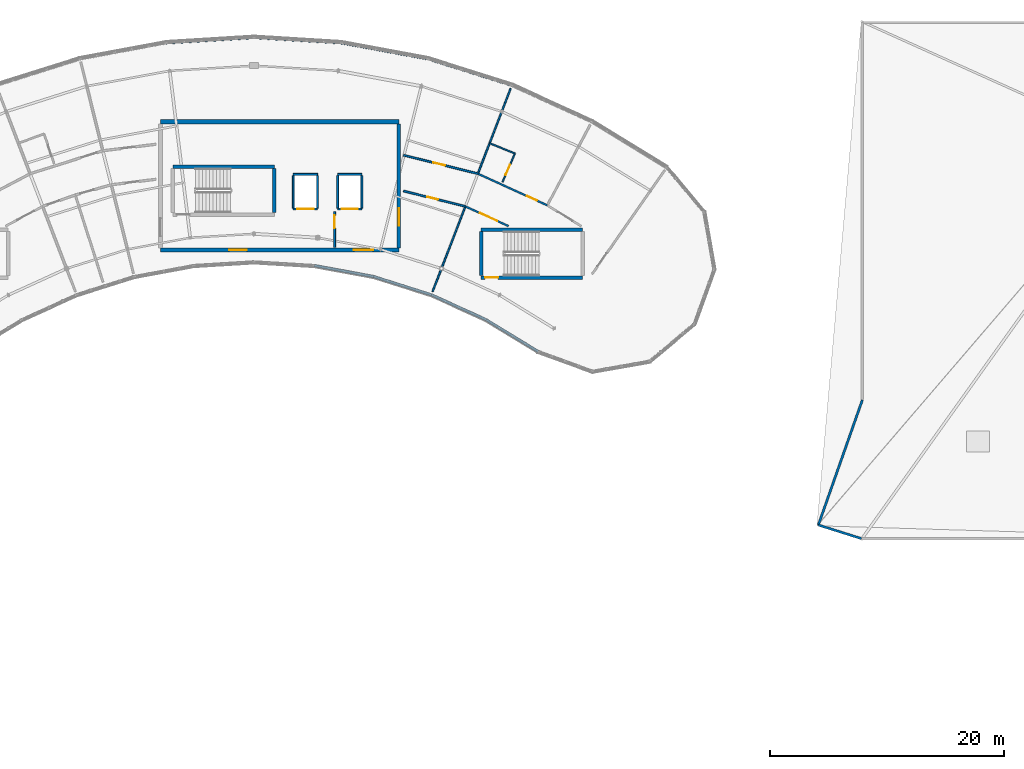
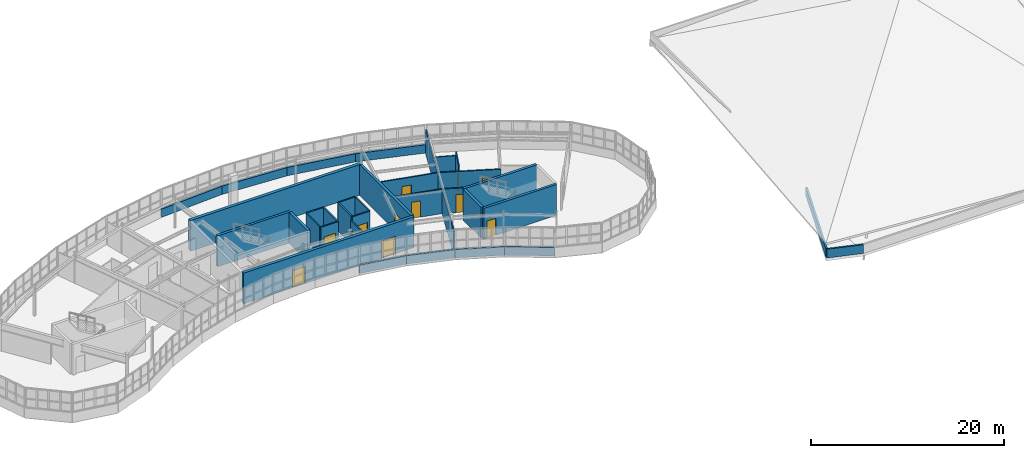
# One storey, part 69 of 79: 35 walls, 12 doors, 12 openings.
"""IFC4 building model written with IfcOpenShell, lengths in metres."""

from ifc_helpers import new_model, si_unit, direction, frame, frame_2d, origin, place, context, subcontext, project, spatial, rectangle, extrude, material, layer, layer_set, type_object, element, fill, save


model = new_model("IFC4")

# Units and contexts
model_context = context("Model", 3, precision=1e-05, world=origin(), true_north=direction((0.0, 1.0)))
body_context = subcontext(model_context, "Body", "Model", "MODEL_VIEW")
ifc_project = project(units=[si_unit("LENGTHUNIT", "METRE"), si_unit("AREAUNIT", "SQUARE_METRE"), si_unit("VOLUMEUNIT", "CUBIC_METRE"), si_unit("PLANEANGLEUNIT", "RADIAN"), si_unit("MASSUNIT", "GRAM", prefix="KILO")], contexts=[model_context])

# Site, building, storey
site_placement = place(None, origin())
site = spatial("IfcSite", under=ifc_project, at=site_placement, CompositionType="ELEMENT")
building_placement = place(site_placement, origin())
building = spatial("IfcBuilding", under=site, at=building_placement, Name="Tarnwether General Hospital", CompositionType="ELEMENT")
storey_placement = place(building_placement, frame((0.0, 0.0, 18.300048828125)))
storey = spatial("IfcBuildingStorey", under=building, at=storey_placement, Name="L04", CompositionType="ELEMENT", Elevation=18.300048828125)

# Walls
ifc_material_1 = material(Name="Streamlined white enamelled aluminium", Category="aluminium")
ifc_layer_1 = layer(ifc_material_1, 0.219970703125)
ifc_layer_set_1 = layer_set([ifc_layer_1], Name="Streamlined white enamelled aluminium")
wall_type_1 = type_object("IfcWallType", Name="WL-EX220", PredefinedType="STANDARD", material=ifc_layer_set_1)
wall_1_placement = place(storey_placement, frame((102.257080078125, 104.14111328125, 0.0), z_axis=(0.0, 0.0, 1.0), x_axis=(-0.98327293422, 0.182138235501, 0.0)))
element("IfcWall", 1, at=wall_1_placement, inside=storey, type_object=wall_type_1, Name="Ward NW Streamlined White Spandrel EW-L04-0044", PredefinedType="STANDARD", context=body_context, shape_type="SweptSolid", body=[
    extrude(rectangle(XDim=5.1767578125, YDim=0.219970703125, at=frame_2d((2.58837890625, 0.0))), origin(), (0.0, 0.0, 1.0), 1.050048828125),
])
wall_2_placement = place(storey_placement, frame((107.195068359375, 102.583984375, 0.0), z_axis=(0.0, 0.0, 1.0), x_axis=(-0.953706582316, 0.300738681994, 0.0)))
element("IfcWall", 2, at=wall_2_placement, inside=storey, type_object=wall_type_1, Name="Ward NW Streamlined White Spandrel EW-L04-0045", PredefinedType="STANDARD", context=body_context, shape_type="SweptSolid", body=[
    extrude(rectangle(XDim=5.177734375, YDim=0.219970703125, at=frame_2d((2.5888671875, 0.0))), origin(), (0.0, 0.0, 1.0), 1.050048828125),
])
for number, where, z_axis, x_axis, name in (
    (3, (111.906005859375, 100.43701171875, 0.0), (0.0, 0.0, 1.0), (-0.909955822384, 0.414705198074, 0.0), "Ward NW Streamlined White Spandrel EW-L04-0046"),
    (4, (116.320068359375, 97.73193359375, 0.0), (0.0, 0.0, 1.0), (-0.852628362135, 0.522517823698, 0.0), "Ward NW Streamlined White Spandrel EW-L04-0047"),
):
    element("IfcWall", number, at=place(storey_placement, frame(where, z_axis=z_axis, x_axis=x_axis)), inside=storey, type_object=wall_type_1, Name=name, PredefinedType="STANDARD", context=body_context, shape_type="SweptSolid", body=[
        extrude(rectangle(XDim=5.177001953125, YDim=0.219970703125, at=frame_2d((2.58837890625, 0.0))), origin(), (0.0, 0.0, 1.0), 1.050048828125),
    ])
wall_3_placement = place(storey_placement, frame((106.902099609375, 122.77001953125, 0.0), z_axis=(0.0, 0.0, 1.0), x_axis=(0.953740021466, -0.300632618747, 0.0)))
element("IfcWall", 5, at=wall_3_placement, inside=storey, type_object=wall_type_1, Name="Ward NW Streamlined White Spandrel EW-L04-0056", PredefinedType="STANDARD", context=body_context, shape_type="SweptSolid", body=[
    extrude(rectangle(XDim=7.520751953125, YDim=0.219970703125, at=frame_2d((3.76025390625, 0.0))), origin(), (0.0, 0.0, 1.0), 1.050048828125),
])
for number, where, z_axis, x_axis, name in (
    (6, (99.507080078125, 124.14111328125, 0.0), (0.0, 0.0, 1.0), (0.983242805192, -0.18230081195, 0.0), "Ward NW Streamlined White Spandrel EW-L04-0057"),
    (7, (92.0, 124.60009765625, 0.0), (0.0, 0.0, 1.0), (0.99813616181, -0.061026244242, 0.0), "Ward NW Streamlined White Spandrel EW-L04-0058"),
    (8, (84.492919921875, 124.14111328125, 0.0), (0.0, 0.0, 1.0), (0.99813616181, 0.061026244242, 0.0), "Ward NW Streamlined White Spandrel EW-L04-0059"),
):
    element("IfcWall", number, at=place(storey_placement, frame(where, z_axis=z_axis, x_axis=x_axis)), inside=storey, type_object=wall_type_1, Name=name, PredefinedType="STANDARD", context=body_context, shape_type="SweptSolid", body=[
        extrude(rectangle(XDim=7.52099609375, YDim=0.219970703125, at=frame_2d((3.760498046875, 0.0))), origin(), (0.0, 0.0, 1.0), 1.050048828125),
    ])
ifc_material_2 = material(Name="Precast concrete 40 MPa", Category="concrete")
ifc_layer_2 = layer(ifc_material_2, 0.199951171875)
ifc_layer_set_2 = layer_set([ifc_layer_2], Name="Precast concrete 40 MPa")
wall_type_2 = type_object("IfcWallType", Name="WL-PR200", PredefinedType="PARAPET", material=ifc_layer_set_2)
wall_4_placement = place(storey_placement, frame((140.3291015625, 82.864013671875, 0.329833984375), z_axis=(0.0, 0.0, 1.0), x_axis=(0.331832810858, 0.943338213812, 0.0)))
element("IfcWall", 9, at=wall_4_placement, inside=storey, type_object=wall_type_2, Name="Flat Roof Parapet EW-L04-0375", PredefinedType="PARAPET", context=body_context, shape_type="SweptSolid", body=[
    extrude(rectangle(XDim=11.345703125, YDim=0.199951171875, at=frame_2d((5.6728515625, 0.0))), origin(), (0.0, 0.0, 1.0), 1.1201171875),
])
wall_5_placement = place(storey_placement, frame((144.014892578125, 81.699951171875, 0.329833984375), z_axis=(0.0, 0.0, 1.0), x_axis=(-0.953573118597, 0.301161596971, 0.0)))
element("IfcWall", 10, at=wall_5_placement, inside=storey, type_object=wall_type_2, Name="Flat Roof Parapet EW-L04-0380", PredefinedType="PARAPET", context=body_context, shape_type="SweptSolid", body=[
    extrude(rectangle(XDim=3.865234375, YDim=0.199951171875, at=frame_2d((1.9326171875, 0.0))), origin(), (0.0, 0.0, 1.0), 1.1201171875),
])

# Wall, opening, door
ifc_material_3 = material(Name="Gypsum plasterboard")
ifc_layer_3 = layer(ifc_material_3, 0.1201171875)
ifc_layer_set_3 = layer_set([ifc_layer_3], Name="Gypsum plasterboard")
wall_type_3 = type_object("IfcWallType", Name="WL-PT120", PredefinedType="PARTITIONING", material=ifc_layer_set_3)
wall_6_placement = place(storey_placement, frame((113.285888671875, 112.236083984375, 0.0), z_axis=(0.0, 0.0, 1.0), x_axis=(0.396798265053, 0.917905843129, 0.0)))
wall_6 = element("IfcWall", 11, at=wall_6_placement, inside=storey, type_object=wall_type_3, Name="Interior Partition PT-L04-0390", PredefinedType="PARTITIONING", context=body_context, shape_type="SweptSolid", body=[
    extrude(rectangle(XDim=2.6591796875, YDim=0.1201171875, at=frame_2d((1.32958984375, 0.0))), origin(), (0.0, 0.0, 1.0), 3.5400390625),
])
opening_1_placement = place(wall_6_placement, frame((0.64990234375, 0.0, 0.0)))
opening_1 = element("IfcOpeningElement", 12, at=opening_1_placement, cuts=wall_6, Name="Opening D-10", PredefinedType="OPENING", context=body_context, shape_type="SweptSolid", body=[
    extrude(rectangle(XDim=0.9599609375, YDim=2.06005859375, at=frame_2d((0.47998046875, 1.030029296875))), frame((0.0, 0.070068359375, 0.0), z_axis=(0.0, -1.0, 0.0), x_axis=(1.0, 0.0, 0.0)), (0.0, 0.0, 1.0), 0.14013671875),
])
ifc_material_4 = material(Name="Anodised aluminium", Category="aluminium")
door_type_1 = type_object("IfcDoorType", Name="DR-IN10", OperationType="NOTDEFINED", PredefinedType="DOOR", material=ifc_material_4)
door_1_placement = place(opening_1_placement, origin())
door_1 = element("IfcDoor", 13, at=door_1_placement, inside=storey, type_object=door_type_1, Name="Interior Door DR-L04-0217", OperationType="SINGLE_SWING_LEFT", OverallHeight=2.06005859375, OverallWidth=0.9599609375, PredefinedType="DOOR", context=body_context, shape_type="SweptSolid", body=[
    extrude(rectangle(XDim=0.9599609375, YDim=2.06005859375, at=frame_2d((0.47998046875, 1.030029296875))), frame((0.0, 0.02490234375, 0.0), z_axis=(0.0, -1.0, 0.0), x_axis=(1.0, 0.0, 0.0)), (0.0, 0.0, 1.0), 0.050048828125),
])
fill(opening_1, door_1)

# Walls
wall_7_placement = place(storey_placement, frame((112.176025390625, 115.56103515625, 0.0), z_axis=(0.0, 0.0, 1.0), x_axis=(0.925796200481, -0.378023008789, 0.0)))
element("IfcWall", 14, at=wall_7_placement, inside=storey, type_object=wall_type_3, Name="Interior Partition PT-L04-0391", PredefinedType="PARTITIONING", context=body_context, shape_type="SweptSolid", body=[
    extrude(rectangle(XDim=2.338623046875, YDim=0.1201171875, at=frame_2d((1.16943359375, 0.0))), origin(), (0.0, 0.0, 1.0), 3.087890625),
])
ifc_material_5 = material(Name="Gypsum plasterboard")
ifc_layer_4 = layer(ifc_material_5, 0.139892578125)
ifc_layer_set_4 = layer_set([ifc_layer_4], Name="Gypsum plasterboard")
wall_type_4 = type_object("IfcWallType", Name="WL-PT140", PredefinedType="PARTITIONING", material=ifc_layer_set_4)
wall_8_placement = place(storey_placement, frame((111.173095703125, 112.947021484375, 0.0), z_axis=(0.0, 0.0, 1.0), x_axis=(0.358342954102, 0.933590020965, 0.0)))
element("IfcWall", 15, at=wall_8_placement, inside=storey, type_object=wall_type_4, Name="Interior Partition PT-L04-0387", PredefinedType="PARTITIONING", context=body_context, shape_type="SweptSolid", body=[
    extrude(rectangle(XDim=7.8193359375, YDim=0.139892578125, at=frame_2d((3.90966796875, 0.0))), origin(), (0.0, 0.0, 1.0), 3.087890625),
])
wall_9_placement = place(storey_placement, frame((110.097900390625, 110.14599609375, 0.0), z_axis=(0.0, 0.0, 1.0), x_axis=(-0.358410014332, -0.933564278251, 0.0)))
element("IfcWall", 16, at=wall_9_placement, inside=storey, type_object=wall_type_4, Name="Interior Partition PT-L04-0389", PredefinedType="PARTITIONING", context=body_context, shape_type="SweptSolid", body=[
    extrude(rectangle(XDim=7.820556640625, YDim=0.139892578125, at=frame_2d((3.91015625, 0.0))), origin(), (0.0, 0.0, 1.0), 3.087890625),
])

# Wall, opening, door
ifc_material_6 = material(Name="Gypsum plasterboard")
ifc_layer_5 = layer(ifc_material_6, 0.159912109375)
ifc_layer_set_5 = layer_set([ifc_layer_5], Name="Gypsum plasterboard")
wall_type_5 = type_object("IfcWallType", Name="WL-PT160", PredefinedType="PARTITIONING", material=ifc_layer_set_5)
wall_10_placement = place(storey_placement, frame((95.360107421875, 109.909912109375, 0.0), z_axis=(0.0, 0.0, 1.0), x_axis=(1.0, 0.0, 0.0)))
wall_10 = element("IfcWall", 17, at=wall_10_placement, inside=storey, type_object=wall_type_5, Name="Lift L-01 Shaft Wall LSH-L-01-L04-S", PredefinedType="PARTITIONING", context=body_context, shape_type="SweptSolid", body=[
    extrude(rectangle(XDim=2.079833984375, YDim=0.159912109375, at=frame_2d((1.0400390625, 0.0))), origin(), (0.0, 0.0, 1.0), 3.5400390625),
])
opening_2_placement = place(wall_10_placement, frame((0.340087890625, 0.0, 0.0)))
opening_2 = element("IfcOpeningElement", 18, at=opening_2_placement, cuts=wall_10, Name="Opening LD-01", PredefinedType="OPENING", context=body_context, shape_type="SweptSolid", body=[
    extrude(rectangle(XDim=1.39990234375, YDim=2.199951171875, at=frame_2d((0.699951171875, 1.10009765625))), frame((0.0, 0.08984375, 0.0), z_axis=(0.0, -1.0, 0.0), x_axis=(1.0, 0.0, 0.0)), (0.0, 0.0, 1.0), 0.179931640625),
])
ifc_material_7 = material(Name="Anodised aluminium", Category="aluminium")
door_type_2 = type_object("IfcDoorType", Name="DR-LD01", OperationType="NOTDEFINED", PredefinedType="DOOR", material=ifc_material_7)
door_2_placement = place(opening_2_placement, origin())
door_2 = element("IfcDoor", 19, at=door_2_placement, inside=storey, type_object=door_type_2, Name="Lift L-01 Sliding Landing Door L04", OperationType="SLIDING_TO_RIGHT", OverallHeight=2.199951171875, OverallWidth=1.39990234375, PredefinedType="DOOR", context=body_context, shape_type="SweptSolid", body=[
    extrude(rectangle(XDim=1.39990234375, YDim=2.199951171875, at=frame_2d((0.699951171875, 1.10009765625))), frame((0.0, 0.02490234375, 0.0), z_axis=(0.0, -1.0, 0.0), x_axis=(1.0, 0.0, 0.0)), (0.0, 0.0, 1.0), 0.050048828125),
])
fill(opening_2, door_2)

# Walls
wall_11_placement = place(storey_placement, frame((97.43994140625, 112.889892578125, 0.0), z_axis=(0.0, 0.0, 1.0), x_axis=(-1.0, 0.0, 0.0)))
element("IfcWall", 20, at=wall_11_placement, inside=storey, type_object=wall_type_5, Name="Lift L-01 Shaft Wall LSH-L-01-L04-N", PredefinedType="PARTITIONING", context=body_context, shape_type="SweptSolid", body=[
    extrude(rectangle(XDim=2.079833984375, YDim=0.159912109375, at=frame_2d((1.0400390625, 0.0))), origin(), (0.0, 0.0, 1.0), 3.5400390625),
])
for number, where, z_axis, x_axis, name in (
    (21, (95.360107421875, 112.7900390625, 0.0), (0.0, 0.0, 1.0), (0.0, -1.0, 0.0), "Lift L-01 Shaft Wall LSH-L-01-L04-W"),
    (22, (97.43994140625, 110.010009765625, 0.0), (0.0, 0.0, 1.0), (0.0, 1.0, 0.0), "Lift L-01 Shaft Wall LSH-L-01-L04-E"),
):
    element("IfcWall", number, at=place(storey_placement, frame(where, z_axis=z_axis, x_axis=x_axis)), inside=storey, type_object=wall_type_5, Name=name, PredefinedType="PARTITIONING", context=body_context, shape_type="SweptSolid", body=[
        extrude(rectangle(XDim=2.780029296875, YDim=0.159912109375, at=frame_2d((1.39013671875, 0.0))), origin(), (0.0, 0.0, 1.0), 3.5400390625),
    ])

# Wall, opening, door
wall_12_placement = place(storey_placement, frame((99.159912109375, 109.909912109375, 0.0), z_axis=(0.0, 0.0, 1.0), x_axis=(1.0, 0.0, 0.0)))
wall_12 = element("IfcWall", 23, at=wall_12_placement, inside=storey, type_object=wall_type_5, Name="Lift L-03 Shaft Wall LSH-L-03-L04-S", PredefinedType="PARTITIONING", context=body_context, shape_type="SweptSolid", body=[
    extrude(rectangle(XDim=2.080078125, YDim=0.159912109375, at=frame_2d((1.0400390625, 0.0))), origin(), (0.0, 0.0, 1.0), 3.5400390625),
])
opening_3_placement = place(wall_12_placement, frame((0.340087890625, 0.0, 0.0)))
opening_3 = element("IfcOpeningElement", 24, at=opening_3_placement, cuts=wall_12, Name="Opening LD-01", PredefinedType="OPENING", context=body_context, shape_type="SweptSolid", body=[
    extrude(rectangle(XDim=1.39990234375, YDim=2.199951171875, at=frame_2d((0.699951171875, 1.10009765625))), frame((0.0, 0.08984375, 0.0), z_axis=(0.0, -1.0, 0.0), x_axis=(1.0, 0.0, 0.0)), (0.0, 0.0, 1.0), 0.179931640625),
])
door_3_placement = place(opening_3_placement, origin())
door_3 = element("IfcDoor", 25, at=door_3_placement, inside=storey, type_object=door_type_2, Name="Lift L-03 Sliding Landing Door L04", OperationType="SLIDING_TO_RIGHT", OverallHeight=2.199951171875, OverallWidth=1.39990234375, PredefinedType="DOOR", context=body_context, shape_type="SweptSolid", body=[
    extrude(rectangle(XDim=1.39990234375, YDim=2.199951171875, at=frame_2d((0.699951171875, 1.10009765625))), frame((0.0, 0.02490234375, 0.0), z_axis=(0.0, -1.0, 0.0), x_axis=(1.0, 0.0, 0.0)), (0.0, 0.0, 1.0), 0.050048828125),
])
fill(opening_3, door_3)

# Walls
wall_13_placement = place(storey_placement, frame((101.239990234375, 112.889892578125, 0.0), z_axis=(0.0, 0.0, 1.0), x_axis=(-1.0, 0.0, 0.0)))
element("IfcWall", 26, at=wall_13_placement, inside=storey, type_object=wall_type_5, Name="Lift L-03 Shaft Wall LSH-L-03-L04-N", PredefinedType="PARTITIONING", context=body_context, shape_type="SweptSolid", body=[
    extrude(rectangle(XDim=2.080078125, YDim=0.159912109375, at=frame_2d((1.0400390625, 0.0))), origin(), (0.0, 0.0, 1.0), 3.5400390625),
])
for number, where, z_axis, x_axis, name in (
    (27, (99.159912109375, 112.7900390625, 0.0), (0.0, 0.0, 1.0), (0.0, -1.0, 0.0), "Lift L-03 Shaft Wall LSH-L-03-L04-W"),
    (28, (101.239990234375, 110.010009765625, 0.0), (0.0, 0.0, 1.0), (0.0, 1.0, 0.0), "Lift L-03 Shaft Wall LSH-L-03-L04-E"),
):
    element("IfcWall", number, at=place(storey_placement, frame(where, z_axis=z_axis, x_axis=x_axis)), inside=storey, type_object=wall_type_5, Name=name, PredefinedType="PARTITIONING", context=body_context, shape_type="SweptSolid", body=[
        extrude(rectangle(XDim=2.780029296875, YDim=0.159912109375, at=frame_2d((1.39013671875, 0.0))), origin(), (0.0, 0.0, 1.0), 3.5400390625),
    ])

# Wall, opening, door
wall_14_placement = place(storey_placement, frame((98.89990234375, 106.64990234375, 0.0), z_axis=(0.0, 0.0, 1.0), x_axis=(0.0, 1.0, 0.0)))
wall_14 = element("IfcWall", 29, at=wall_14_placement, inside=storey, type_object=wall_type_5, Name="Firefighting Lobby Divider K1 L04", PredefinedType="PARTITIONING", context=body_context, shape_type="SweptSolid", body=[
    extrude(rectangle(XDim=3.050048828125, YDim=0.159912109375, at=frame_2d((1.52490234375, 0.0))), origin(), (0.0, 0.0, 1.0), 3.294921875),
])
opening_4_placement = place(wall_14_placement, frame((1.6298828125, 0.0, 0.0)))
opening_4 = element("IfcOpeningElement", 30, at=opening_4_placement, cuts=wall_14, Name="Opening FD-06", PredefinedType="OPENING", context=body_context, shape_type="SweptSolid", body=[
    extrude(rectangle(XDim=1.10009765625, YDim=2.14990234375, at=frame_2d((0.550048828125, 1.074951171875))), frame((0.0, 0.08984375, 0.0), z_axis=(0.0, -1.0, 0.0), x_axis=(1.0, 0.0, 0.0)), (0.0, 0.0, 1.0), 0.179931640625),
])
ifc_material_8 = material(Name="Anodised aluminium", Category="aluminium")
door_type_3 = type_object("IfcDoorType", Name="DR-FD06", OperationType="NOTDEFINED", PredefinedType="DOOR", material=ifc_material_8)
door_4_placement = place(opening_4_placement, origin())
door_4 = element("IfcDoor", 31, at=door_4_placement, inside=storey, type_object=door_type_3, Name="Core K1 Inter-Lobby Smoke Door L04", OperationType="SINGLE_SWING_RIGHT", OverallHeight=2.14990234375, OverallWidth=1.10009765625, PredefinedType="DOOR", context=body_context, shape_type="SweptSolid", body=[
    extrude(rectangle(XDim=1.10009765625, YDim=2.14990234375, at=frame_2d((0.550048828125, 1.074951171875))), frame((0.0, 0.02490234375, 0.0), z_axis=(0.0, -1.0, 0.0), x_axis=(1.0, 0.0, 0.0)), (0.0, 0.0, 1.0), 0.050048828125),
])
fill(opening_4, door_4)

wall_15_placement = place(storey_placement, frame((104.81005859375, 114.532958984375, 0.0), z_axis=(0.0, 0.0, 1.0), x_axis=(0.970315261497, -0.241843530625, 0.0)))
wall_15 = element("IfcWall", 32, at=wall_15_placement, inside=storey, type_object=wall_type_5, Name="Interior Partition PT-L04-0386", PredefinedType="PARTITIONING", context=body_context, shape_type="SweptSolid", body=[
    extrude(rectangle(XDim=6.5576171875, YDim=0.159912109375, at=frame_2d((3.27880859375, 0.0))), origin(), (0.0, 0.0, 1.0), 3.0849609375),
])
opening_5_placement = place(wall_15_placement, frame((2.62890625, 0.0, 0.0)))
opening_5 = element("IfcOpeningElement", 33, at=opening_5_placement, cuts=wall_15, Name="Opening D-09", PredefinedType="OPENING", context=body_context, shape_type="SweptSolid", body=[
    extrude(rectangle(XDim=1.02001953125, YDim=2.080078125, at=frame_2d((0.510009765625, 1.0400390625))), frame((0.0, 0.08984375, 0.0), z_axis=(0.0, -1.0, 0.0), x_axis=(1.0, 0.0, 0.0)), (0.0, 0.0, 1.0), 0.179931640625),
])
ifc_material_9 = material(Name="Anodised aluminium", Category="aluminium")
door_type_4 = type_object("IfcDoorType", Name="DR-IN09", OperationType="NOTDEFINED", PredefinedType="DOOR", material=ifc_material_9)
door_5_placement = place(opening_5_placement, origin())
door_5 = element("IfcDoor", 34, at=door_5_placement, inside=storey, type_object=door_type_4, Name="Interior Door DR-L04-0215", OperationType="SINGLE_SWING_LEFT", OverallHeight=2.080078125, OverallWidth=1.02001953125, PredefinedType="DOOR", context=body_context, shape_type="SweptSolid", body=[
    extrude(rectangle(XDim=1.02001953125, YDim=2.080078125, at=frame_2d((0.510009765625, 1.0400390625))), frame((0.0, 0.02490234375, 0.0), z_axis=(0.0, -1.0, 0.0), x_axis=(1.0, 0.0, 0.0)), (0.0, 0.0, 1.0), 0.050048828125),
])
fill(opening_5, door_5)

wall_16_placement = place(storey_placement, frame((104.81005859375, 111.464111328125, 0.0), z_axis=(0.0, 0.0, 1.0), x_axis=(0.970308293834, -0.241871484298, 0.0)))
wall_16 = element("IfcWall", 35, at=wall_16_placement, inside=storey, type_object=wall_type_5, Name="Interior Partition PT-L04-0388", PredefinedType="PARTITIONING", context=body_context, shape_type="SweptSolid", body=[
    extrude(rectangle(XDim=5.44970703125, YDim=0.159912109375, at=frame_2d((2.724853515625, 0.0))), origin(), (0.0, 0.0, 1.0), 3.087890625),
])
opening_6_placement = place(wall_16_placement, frame((2.074951171875, 0.0, 0.0)))
opening_6 = element("IfcOpeningElement", 36, at=opening_6_placement, cuts=wall_16, Name="Opening D-10", PredefinedType="OPENING", context=body_context, shape_type="SweptSolid", body=[
    extrude(rectangle(XDim=0.9599609375, YDim=2.06005859375, at=frame_2d((0.47998046875, 1.030029296875))), frame((0.0, 0.08984375, 0.0), z_axis=(0.0, -1.0, 0.0), x_axis=(1.0, 0.0, 0.0)), (0.0, 0.0, 1.0), 0.179931640625),
])
door_6_placement = place(opening_6_placement, origin())
door_6 = element("IfcDoor", 37, at=door_6_placement, inside=storey, type_object=door_type_1, Name="Interior Door DR-L04-0216", OperationType="SINGLE_SWING_RIGHT", OverallHeight=2.06005859375, OverallWidth=0.9599609375, PredefinedType="DOOR", context=body_context, shape_type="SweptSolid", body=[
    extrude(rectangle(XDim=0.9599609375, YDim=2.06005859375, at=frame_2d((0.47998046875, 1.030029296875))), frame((0.0, 0.02490234375, 0.0), z_axis=(0.0, -1.0, 0.0), x_axis=(1.0, 0.0, 0.0)), (0.0, 0.0, 1.0), 0.050048828125),
])
fill(opening_6, door_6)

wall_17_placement = place(storey_placement, frame((111.173095703125, 112.947021484375, 0.0), z_axis=(0.0, 0.0, 1.0), x_axis=(0.909948737979, -0.414720742488, 0.0)))
wall_17 = element("IfcWall", 38, at=wall_17_placement, inside=storey, type_object=wall_type_5, Name="Interior Partition PT-L04-0392", PredefinedType="PARTITIONING", context=body_context, shape_type="SweptSolid", body=[
    extrude(rectangle(XDim=6.531982421875, YDim=0.159912109375, at=frame_2d((3.26611328125, 0.0))), origin(), (0.0, 0.0, 1.0), 3.087890625),
])
opening_7_placement = place(wall_17_placement, frame((4.632080078125, 0.0, 0.0)))
opening_7 = element("IfcOpeningElement", 39, at=opening_7_placement, cuts=wall_17, Name="Opening D-12", PredefinedType="OPENING", context=body_context, shape_type="SweptSolid", body=[
    extrude(rectangle(XDim=0.919921875, YDim=2.0400390625, at=frame_2d((0.4599609375, 1.02001953125))), frame((0.0, 0.08984375, 0.0), z_axis=(0.0, -1.0, 0.0), x_axis=(1.0, 0.0, 0.0)), (0.0, 0.0, 1.0), 0.179931640625),
])
ifc_material_10 = material(Name="Anodised aluminium", Category="aluminium")
door_type_5 = type_object("IfcDoorType", Name="DR-IN12", OperationType="NOTDEFINED", PredefinedType="DOOR", material=ifc_material_10)
door_7_placement = place(opening_7_placement, origin())
door_7 = element("IfcDoor", 40, at=door_7_placement, inside=storey, type_object=door_type_5, Name="Interior Door DR-L04-0218", OperationType="SINGLE_SWING_RIGHT", OverallHeight=2.0400390625, OverallWidth=0.919921875, PredefinedType="DOOR", context=body_context, shape_type="SweptSolid", body=[
    extrude(rectangle(XDim=0.919921875, YDim=2.0400390625, at=frame_2d((0.4599609375, 1.02001953125))), frame((0.0, 0.02490234375, 0.0), z_axis=(0.0, -1.0, 0.0), x_axis=(1.0, 0.0, 0.0)), (0.0, 0.0, 1.0), 0.050048828125),
])
fill(opening_7, door_7)

wall_18_placement = place(storey_placement, frame((110.097900390625, 110.14599609375, 0.0), z_axis=(0.0, 0.0, 1.0), x_axis=(0.909942329762, -0.414734802623, 0.0)))
wall_18 = element("IfcWall", 41, at=wall_18_placement, inside=storey, type_object=wall_type_5, Name="Interior Partition PT-L04-0394", PredefinedType="PARTITIONING", context=body_context, shape_type="SweptSolid", body=[
    extrude(rectangle(XDim=4.0654296875, YDim=0.159912109375, at=frame_2d((2.03271484375, 0.0))), origin(), (0.0, 0.0, 1.0), 3.087890625),
])
opening_8_placement = place(wall_18_placement, frame((1.383056640625, 0.0, 0.0)))
opening_8 = element("IfcOpeningElement", 42, at=opening_8_placement, cuts=wall_18, Name="Opening SD-02", PredefinedType="OPENING", context=body_context, shape_type="SweptSolid", body=[
    extrude(rectangle(XDim=1.6201171875, YDim=2.300048828125, at=frame_2d((0.81005859375, 1.14990234375))), frame((0.0, 0.08984375, 0.0), z_axis=(0.0, -1.0, 0.0), x_axis=(1.0, 0.0, 0.0)), (0.0, 0.0, 1.0), 0.179931640625),
])
ifc_material_11 = material(Name="Anodised aluminium", Category="aluminium")
door_type_6 = type_object("IfcDoorType", Name="DR-OR02", OperationType="NOTDEFINED", PredefinedType="DOOR", material=ifc_material_11)
door_8_placement = place(opening_8_placement, origin())
door_8 = element("IfcDoor", 43, at=door_8_placement, inside=storey, type_object=door_type_6, Name="Interior Door DR-L04-0219", OperationType="SLIDING_TO_RIGHT", OverallHeight=2.300048828125, OverallWidth=1.6201171875, PredefinedType="DOOR", context=body_context, shape_type="SweptSolid", body=[
    extrude(rectangle(XDim=1.6201171875, YDim=2.300048828125, at=frame_2d((0.81005859375, 1.14990234375))), frame((0.0, 0.02490234375, 0.0), z_axis=(0.0, -1.0, 0.0), x_axis=(1.0, 0.0, 0.0)), (0.0, 0.0, 1.0), 0.050048828125),
])
fill(opening_8, door_8)

ifc_material_12 = material(Name="Concrete 50 MPa", Category="concrete")
ifc_layer_6 = layer(ifc_material_12, 0.300048828125)
ifc_layer_set_6 = layer_set([ifc_layer_6], Name="Concrete 50 MPa")
wall_type_6 = type_object("IfcWallType", Name="WL-SW300", PredefinedType="SHEAR", material=ifc_layer_set_6)
wall_19_placement = place(storey_placement, frame((104.39990234375, 117.199951171875, 0.0), z_axis=(0.0, 0.0, 1.0), x_axis=(0.0, -1.0, 0.0)))
wall_19 = element("IfcWall", 44, at=wall_19_placement, inside=storey, type_object=wall_type_6, Name="Core Shear Wall CWALL-K1-L04-E", PredefinedType="SHEAR", context=body_context, shape_type="SweptSolid", body=[
    extrude(rectangle(XDim=10.599853515625, YDim=0.300048828125, at=frame_2d((5.2998046875, 0.0))), origin(), (0.0, 0.0, 1.0), 3.89990234375),
])
opening_9_placement = place(wall_19_placement, frame((7.199951171875, 0.0, 0.0)))
opening_9 = element("IfcOpeningElement", 45, at=opening_9_placement, cuts=wall_19, Name="Opening FD-02", PredefinedType="OPENING", context=body_context, shape_type="SweptSolid", body=[
    extrude(rectangle(XDim=1.52001953125, YDim=2.159912109375, at=frame_2d((0.760009765625, 1.080078125))), frame((0.0, 0.16015625, 0.0), z_axis=(0.0, -1.0, 0.0), x_axis=(1.0, 0.0, 0.0)), (0.0, 0.0, 1.0), 0.320068359375),
])
ifc_material_13 = material(Name="Anodised aluminium", Category="aluminium")
door_type_7 = type_object("IfcDoorType", Name="DR-FD02", OperationType="NOTDEFINED", PredefinedType="DOOR", material=ifc_material_13)
door_9_placement = place(opening_9_placement, origin())
door_9 = element("IfcDoor", 46, at=door_9_placement, inside=storey, type_object=door_type_7, Name="Core K1 Ward Corridor Fire Door L04", OperationType="SINGLE_SWING_LEFT", OverallHeight=2.159912109375, OverallWidth=1.52001953125, PredefinedType="DOOR", context=body_context, shape_type="SweptSolid", body=[
    extrude(rectangle(XDim=1.52001953125, YDim=2.159912109375, at=frame_2d((0.760009765625, 1.080078125))), frame((0.0, 0.02490234375, 0.0), z_axis=(0.0, -1.0, 0.0), x_axis=(1.0, 0.0, 0.0)), (0.0, 0.0, 1.0), 0.050048828125),
])
fill(opening_9, door_9)

# Walls
wall_20_placement = place(storey_placement, frame((93.75, 113.550048828125, 0.0), z_axis=(0.0, 0.0, 1.0), x_axis=(-1.0, 0.0, 0.0)))
element("IfcWall", 47, at=wall_20_placement, inside=storey, type_object=wall_type_6, Name="Stairwell Shear Wall STW-ST-01-L04-N", PredefinedType="SHEAR", context=body_context, shape_type="SweptSolid", body=[
    extrude(rectangle(XDim=8.699951171875, YDim=0.300048828125, at=frame_2d((4.35009765625, 0.0))), origin(), (0.0, 0.0, 1.0), 3.89990234375),
])
wall_21_placement = place(storey_placement, frame((93.75, 109.6201171875, 0.0), z_axis=(0.0, 0.0, 1.0), x_axis=(0.0, 1.0, 0.0)))
element("IfcWall", 48, at=wall_21_placement, inside=storey, type_object=wall_type_6, Name="Stairwell Shear Wall STW-ST-01-L04-F", PredefinedType="SHEAR", context=body_context, shape_type="SweptSolid", body=[
    extrude(rectangle(XDim=3.759765625, YDim=0.300048828125, at=frame_2d((1.8798828125, 0.0))), origin(), (0.0, 0.0, 1.0), 3.89990234375),
])

# Wall, opening, door
wall_22_placement = place(storey_placement, frame((111.449951171875, 104.050048828125, 0.0), z_axis=(0.0, 0.0, 1.0), x_axis=(1.0, 0.0, 0.0)))
wall_22 = element("IfcWall", 49, at=wall_22_placement, inside=storey, type_object=wall_type_6, Name="Stairwell Shear Wall STW-ST-08-L04-B", PredefinedType="SHEAR", context=body_context, shape_type="SweptSolid", body=[
    extrude(rectangle(XDim=8.699951171875, YDim=0.300048828125, at=frame_2d((4.35009765625, 0.0))), origin(), (0.0, 0.0, 1.0), 3.89990234375),
])
opening_10_placement = place(wall_22_placement, frame((0.35009765625, 0.0, 0.0)))
opening_10 = element("IfcOpeningElement", 50, at=opening_10_placement, cuts=wall_22, Name="Opening FD-06", PredefinedType="OPENING", context=body_context, shape_type="SweptSolid", body=[
    extrude(rectangle(XDim=1.10009765625, YDim=2.14990234375, at=frame_2d((0.550048828125, 1.074951171875))), frame((0.0, 0.16015625, 0.0), z_axis=(0.0, -1.0, 0.0), x_axis=(1.0, 0.0, 0.0)), (0.0, 0.0, 1.0), 0.320068359375),
])
door_10_placement = place(opening_10_placement, origin())
door_10 = element("IfcDoor", 51, at=door_10_placement, inside=storey, type_object=door_type_3, Name="Stairwell ST-08 Safe-Path Fire Door L04", OperationType="SINGLE_SWING_RIGHT", OverallHeight=2.14990234375, OverallWidth=1.10009765625, PredefinedType="DOOR", context=body_context, shape_type="SweptSolid", body=[
    extrude(rectangle(XDim=1.10009765625, YDim=2.14990234375, at=frame_2d((0.550048828125, 1.074951171875))), frame((0.0, 0.02490234375, 0.0), z_axis=(0.0, -1.0, 0.0), x_axis=(1.0, 0.0, 0.0)), (0.0, 0.0, 1.0), 0.050048828125),
])
fill(opening_10, door_10)

# Walls
wall_23_placement = place(storey_placement, frame((120.14990234375, 108.14990234375, 0.0), z_axis=(0.0, 0.0, 1.0), x_axis=(-1.0, 0.0, 0.0)))
element("IfcWall", 52, at=wall_23_placement, inside=storey, type_object=wall_type_6, Name="Stairwell Shear Wall STW-ST-08-L04-N", PredefinedType="SHEAR", context=body_context, shape_type="SweptSolid", body=[
    extrude(rectangle(XDim=8.699951171875, YDim=0.300048828125, at=frame_2d((4.35009765625, 0.0))), origin(), (0.0, 0.0, 1.0), 3.89990234375),
])
wall_24_placement = place(storey_placement, frame((111.449951171875, 104.219970703125, 0.0), z_axis=(0.0, 0.0, 1.0), x_axis=(0.0, 1.0, 0.0)))
element("IfcWall", 53, at=wall_24_placement, inside=storey, type_object=wall_type_6, Name="Stairwell Shear Wall STW-ST-08-L04-L", PredefinedType="SHEAR", context=body_context, shape_type="SweptSolid", body=[
    extrude(rectangle(XDim=3.760009765625, YDim=0.300048828125, at=frame_2d((1.8798828125, 0.0))), origin(), (0.0, 0.0, 1.0), 3.89990234375),
])
ifc_material_14 = material(Name="Concrete 50 MPa", Category="concrete")
ifc_layer_7 = layer(ifc_material_14, 0.35009765625)
ifc_layer_set_7 = layer_set([ifc_layer_7], Name="Concrete 50 MPa")
wall_type_7 = type_object("IfcWallType", Name="WL-SW350", PredefinedType="SHEAR", material=ifc_layer_set_7)
wall_25_placement = place(storey_placement, frame((84.0, 117.39990234375, 0.0), z_axis=(0.0, 0.0, 1.0), x_axis=(1.0, 0.0, 0.0)))
element("IfcWall", 54, at=wall_25_placement, inside=storey, type_object=wall_type_7, Name="Core Shear Wall CWALL-K1-L04-N", PredefinedType="SHEAR", context=body_context, shape_type="SweptSolid", body=[
    extrude(rectangle(XDim=20.39990234375, YDim=0.35009765625, at=frame_2d((10.199951171875, 0.0))), origin(), (0.0, 0.0, 1.0), 3.89990234375),
])

# Wall, openings, doors
wall_26_placement = place(storey_placement, frame((104.39990234375, 106.39990234375, 0.0), z_axis=(0.0, 0.0, 1.0), x_axis=(-1.0, 0.0, 0.0)))
wall_26 = element("IfcWall", 55, at=wall_26_placement, inside=storey, type_object=wall_type_7, Name="Core Shear Wall CWALL-K1-L04-S", PredefinedType="SHEAR", context=body_context, shape_type="SweptSolid", body=[
    extrude(rectangle(XDim=20.39990234375, YDim=0.35009765625, at=frame_2d((10.199951171875, 0.0))), origin(), (0.0, 0.0, 1.0), 3.89990234375),
])
opening_11_placement = place(wall_26_placement, frame((2.199951171875, 0.0, 0.0)))
opening_11 = element("IfcOpeningElement", 56, at=opening_11_placement, cuts=wall_26, Name="Opening FD-01", PredefinedType="OPENING", context=body_context, shape_type="SweptSolid", body=[
    extrude(rectangle(XDim=1.639892578125, YDim=2.199951171875, at=frame_2d((0.81982421875, 1.10009765625))), frame((0.0, 0.18505859375, 0.0), z_axis=(0.0, -1.0, 0.0), x_axis=(1.0, 0.0, 0.0)), (0.0, 0.0, 1.0), 0.3701171875),
])
opening_12_placement = place(wall_26_placement, frame((13.0, 0.0, 0.0)))
opening_12 = element("IfcOpeningElement", 57, at=opening_12_placement, cuts=wall_26, Name="Opening FD-02", PredefinedType="OPENING", context=body_context, shape_type="SweptSolid", body=[
    extrude(rectangle(XDim=1.52001953125, YDim=2.159912109375, at=frame_2d((0.760009765625, 1.080078125))), frame((0.0, 0.18505859375, 0.0), z_axis=(0.0, -1.0, 0.0), x_axis=(1.0, 0.0, 0.0)), (0.0, 0.0, 1.0), 0.3701171875),
])
ifc_material_15 = material(Name="Anodised aluminium", Category="aluminium")
door_type_8 = type_object("IfcDoorType", Name="DR-FD01", OperationType="NOTDEFINED", PredefinedType="DOOR", material=ifc_material_15)
door_11_placement = place(opening_11_placement, origin())
door_11 = element("IfcDoor", 58, at=door_11_placement, inside=storey, type_object=door_type_8, Name="Core K1 Lobby Fire Door L04", OperationType="DOUBLE_DOOR_SINGLE_SWING", OverallHeight=2.199951171875, OverallWidth=1.639892578125, PredefinedType="DOOR", context=body_context, shape_type="SweptSolid", body=[
    extrude(rectangle(XDim=1.639892578125, YDim=2.199951171875, at=frame_2d((0.81982421875, 1.10009765625))), frame((0.0, 0.02490234375, 0.0), z_axis=(0.0, -1.0, 0.0), x_axis=(1.0, 0.0, 0.0)), (0.0, 0.0, 1.0), 0.050048828125),
])
fill(opening_11, door_11)
door_12_placement = place(opening_12_placement, origin())
door_12 = element("IfcDoor", 59, at=door_12_placement, inside=storey, type_object=door_type_7, Name="Core K1 Firefighting Lobby Door L04", OperationType="SINGLE_SWING_LEFT", OverallHeight=2.159912109375, OverallWidth=1.52001953125, PredefinedType="DOOR", context=body_context, shape_type="SweptSolid", body=[
    extrude(rectangle(XDim=1.52001953125, YDim=2.159912109375, at=frame_2d((0.760009765625, 1.080078125))), frame((0.0, 0.02490234375, 0.0), z_axis=(0.0, -1.0, 0.0), x_axis=(1.0, 0.0, 0.0)), (0.0, 0.0, 1.0), 0.050048828125),
])
fill(opening_12, door_12)

save(model, "model.ifc")
